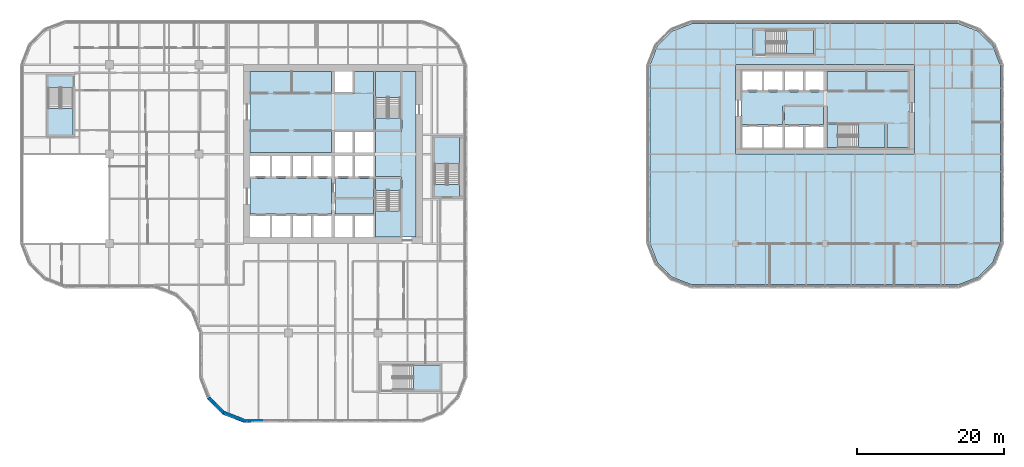
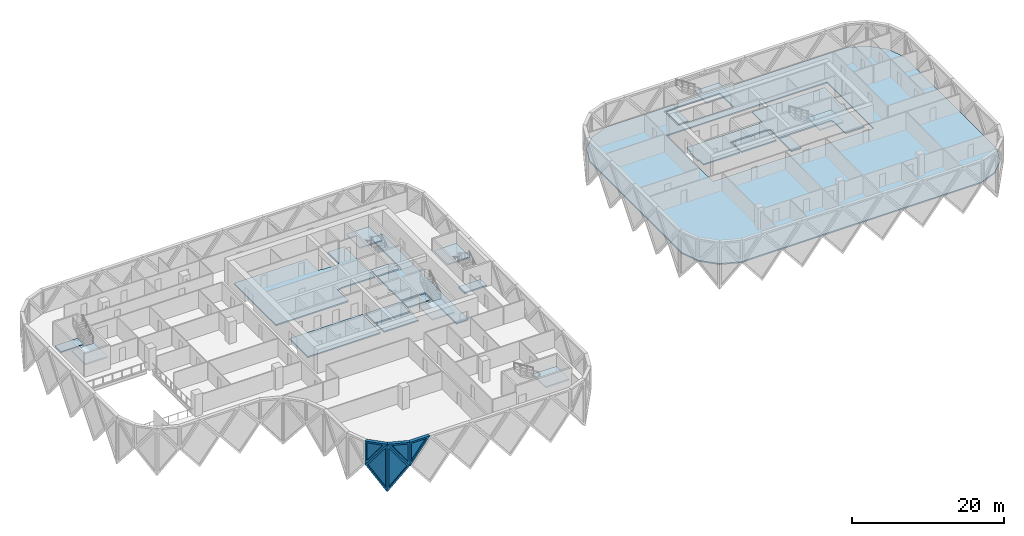
# One storey, part 3 of 24: 21 slabs, 5 plates, 5 walls, 5 openings, 7 elements without a shape of their own.
"""IFC4 building model written with IfcOpenShell, lengths in metres."""

import ifcopenshell
import ifcopenshell.guid

model = None  # the IFC model being written
_history = None  # IfcOwnerHistory: only IFC2X3 demands one
_inside = {}  # id of a spatial element -> (the spatial element, [elements in it])
_under = {}  # id of a project, library or spatial element -> (it, [spatial elements below it])
_declared = {}  # id of a project -> (the project, [libraries it declares])
_typed = {}  # id of a type object -> (the type object, [elements of that type])
_made_of = {}  # id of a material, layer set ... -> (it, [elements and type objects made of it])


def new_model(schema):
    """Start an empty IFC model of exactly this schema.

    Asked for "IFC4X3", IfcOpenShell would pick the latest addendum, in which some entities
    have other attributes; the version numbers below select the first issue.
    IFC2X3 requires an IfcOwnerHistory on every rooted entity: one is made here for all.
    """
    global model, _history
    if schema == "IFC4X3":
        model = ifcopenshell.file(schema_version=(4, 3, 0, 0))
    else:
        model = ifcopenshell.file(schema=schema)
    _inside.clear()
    _under.clear()
    _declared.clear()
    _typed.clear()
    _made_of.clear()
    _history = None
    if model.schema == "IFC2X3":
        org = make("IfcOrganization", Name="unknown")
        user = make(
            "IfcPersonAndOrganization",
            ThePerson=make("IfcPerson", FamilyName="unknown"),
            TheOrganization=org,
        )
        app = make(
            "IfcApplication",
            ApplicationDeveloper=org,
            Version="unknown",
            ApplicationFullName="unknown",
            ApplicationIdentifier="unknown",
        )
        _history = make(
            "IfcOwnerHistory",
            OwningUser=user,
            OwningApplication=app,
            ChangeAction="ADDED",
            CreationDate=0,
        )
    return model


def make(cls, **values):
    """One entity of the class cls with the attributes given. An attribute that is None is left unset."""
    return model.create_entity(
        cls, **{name: value for name, value in values.items() if value is not None}
    )


def rooted(cls, **values):
    """An entity with a GlobalId (a new one), such as an element, a storey or a relation."""
    return make(cls, GlobalId=ifcopenshell.guid.new(), OwnerHistory=_history, **values)


def si_unit(unit_type, name, prefix=None):
    """IfcSIUnit, for example si_unit("LENGTHUNIT", "METRE", prefix="MILLI")."""
    return make("IfcSIUnit", UnitType=unit_type, Prefix=prefix, Name=name)


def assignment(units):
    """IfcUnitAssignment: the units of a project."""
    return None if units is None else make("IfcUnitAssignment", Units=units)


def point(xyz):
    """IfcCartesianPoint."""
    return None if xyz is None else make("IfcCartesianPoint", Coordinates=xyz)


def direction(xyz):
    """IfcDirection."""
    return None if xyz is None else make("IfcDirection", DirectionRatios=xyz)


def frame(location, z_axis=None, x_axis=None):
    """IfcAxis2Placement3D, a coordinate frame: its origin and axes. An axis left out is left unset."""
    return make(
        "IfcAxis2Placement3D",
        Location=point(location),
        Axis=direction(z_axis),
        RefDirection=direction(x_axis),
    )


def origin():
    """The frame at (0, 0, 0) with its axes left unset."""
    return frame((0.0, 0.0, 0.0))


def place(relative_to, where):
    """IfcLocalPlacement: puts the frame where relative to a parent placement (None: the world)."""
    return make(
        "IfcLocalPlacement", PlacementRelTo=relative_to, RelativePlacement=where
    )


def context(
    kind, dimensions, precision=None, world=None, true_north=None, identifier=None
):
    """IfcGeometricRepresentationContext, for example the 3D "Model" context."""
    return make(
        "IfcGeometricRepresentationContext",
        ContextIdentifier=identifier,
        ContextType=kind,
        CoordinateSpaceDimension=dimensions,
        Precision=precision,
        WorldCoordinateSystem=world,
        TrueNorth=true_north,
    )


def subcontext(parent, identifier, kind, view, scale=None):
    """IfcGeometricRepresentationSubContext, for example "Body" below "Model"."""
    return make(
        "IfcGeometricRepresentationSubContext",
        ContextIdentifier=identifier,
        ContextType=kind,
        ParentContext=parent,
        TargetScale=scale,
        TargetView=view,
    )


def project(units=None, contexts=None):
    """IfcProject with its units and contexts."""
    return rooted(
        "IfcProject",
        Name="project",
        RepresentationContexts=contexts,
        UnitsInContext=assignment(units),
    )


def spatial(cls, under=None, at=None, **own):
    """A site, building, storey or space (cls), placed at a placement, below another one or the project."""
    s = rooted(cls, ObjectPlacement=at, **own)
    if under is not None:
        _under.setdefault(under.id(), (under, []))[1].append(s)
    return s


def polyline(points):
    """IfcPolyline through the points."""
    return make("IfcPolyline", Points=[point(p) for p in points])


def outline(outer, holes=None, kind="AREA"):
    """IfcArbitraryClosedProfileDef: a profile drawn as a closed curve; with holes, ...WithVoids."""
    if holes is None:
        return make("IfcArbitraryClosedProfileDef", ProfileType=kind, OuterCurve=outer)
    return make(
        "IfcArbitraryProfileDefWithVoids",
        ProfileType=kind,
        OuterCurve=outer,
        InnerCurves=holes,
    )


def extrude(swept, where, along, depth):
    """IfcExtrudedAreaSolid: the profile swept, set in the frame where, extruded along a direction by depth."""
    return make(
        "IfcExtrudedAreaSolid",
        SweptArea=swept,
        Position=where,
        ExtrudedDirection=direction(along),
        Depth=depth,
    )


def faces_of(points, faces, orient=None, outer=None):
    """IfcFace entities. A face is a list of loops; a loop is a list of indices into points, from 0.

    orient and outer hold one flag for each loop. By default every Orientation is true, the
    first loop of a face is its IfcFaceOuterBound and the others are IfcFaceBound.
    """
    made = []
    for i, loops in enumerate(faces):
        bounds = []
        for j, loop in enumerate(loops):
            is_outer = j == 0 if outer is None else outer[i][j]
            bounds.append(
                make(
                    "IfcFaceOuterBound" if is_outer else "IfcFaceBound",
                    Bound=make("IfcPolyLoop", Polygon=[points[k] for k in loop]),
                    Orientation=True if orient is None else orient[i][j],
                )
            )
        made.append(make("IfcFace", Bounds=bounds))
    return made


def faceted_brep(points, faces, orient=None, outer=None, voids=None):
    """IfcFacetedBrep: a solid bounded by flat faces; with voids (closed shells), ...WithVoids."""
    shared = [point(p) for p in points]
    hull = make("IfcClosedShell", CfsFaces=faces_of(shared, faces, orient, outer))
    if voids is None:
        return make("IfcFacetedBrep", Outer=hull)
    return make(
        "IfcFacetedBrepWithVoids",
        Outer=hull,
        Voids=[
            make(cls, CfsFaces=faces_of(shared, fs, o, b)) for cls, fs, o, b in voids
        ],
    )


def shape(context_of_items, identifier, shape_type, items):
    """IfcShapeRepresentation: the items that make up one representation, for example the "Body"."""
    return make(
        "IfcShapeRepresentation",
        ContextOfItems=context_of_items,
        RepresentationIdentifier=identifier,
        RepresentationType=shape_type,
        Items=items,
    )


def source(mapping_origin, context_of_items, identifier, shape_type, items):
    """IfcRepresentationMap: a shape defined once, which mapped items show again and again."""
    return make(
        "IfcRepresentationMap",
        MappingOrigin=mapping_origin,
        MappedRepresentation=shape(context_of_items, identifier, shape_type, items),
    )


def transform(
    local_origin,
    x_axis=None,
    y_axis=None,
    z_axis=None,
    scale=None,
    scale2=None,
    scale3=None,
    uniform=True,
):
    """IfcCartesianTransformationOperator3D, or its non-uniform kind. x_axis, y_axis, z_axis: its Axis1, 2, 3."""
    if uniform:
        return make(
            "IfcCartesianTransformationOperator3D",
            Axis1=direction(x_axis),
            Axis2=direction(y_axis),
            LocalOrigin=point(local_origin),
            Scale=scale,
            Axis3=direction(z_axis),
        )
    return make(
        "IfcCartesianTransformationOperator3DnonUniform",
        Axis1=direction(x_axis),
        Axis2=direction(y_axis),
        LocalOrigin=point(local_origin),
        Scale=scale,
        Axis3=direction(z_axis),
        Scale2=scale2,
        Scale3=scale3,
    )


def mapped(mapping_source, mapping_target):
    """IfcMappedItem: shows the shape of a source again, moved by a transform."""
    return make(
        "IfcMappedItem", MappingSource=mapping_source, MappingTarget=mapping_target
    )


def material(Name=None, Category=None):
    """IfcMaterial."""
    return make("IfcMaterial", Name=Name, Category=Category)


def layer(
    of_material, thickness, ventilated=None, Name=None, Category=None, Priority=None
):
    """IfcMaterialLayer: one layer of a wall or slab, of a material (None: an air gap)."""
    return make(
        "IfcMaterialLayer",
        Material=of_material,
        LayerThickness=thickness,
        IsVentilated=ventilated,
        Name=Name,
        Category=Category,
        Priority=Priority,
    )


def layer_set(layers, Name=None):
    """IfcMaterialLayerSet."""
    return make("IfcMaterialLayerSet", MaterialLayers=layers, LayerSetName=Name)


def made_of(thing, what):
    """Note that an element or type object is made of a material, layer set ...; save() writes the relation."""
    if what is not None:
        _made_of.setdefault(what.id(), (what, []))[1].append(thing)
    return thing


def type_object(cls, material=None, **own):
    """A type object (cls), such as IfcWallType, which elements share."""
    return made_of(rooted(cls, **own), material)


def element(
    cls,
    number,
    at=None,
    inside=None,
    cuts=None,
    type_object=None,
    material=None,
    context=None,
    identifier="Body",
    shape_type=None,
    held_by="IfcProductDefinitionShape",
    body=None,
    shapes=None,
    **own,
):
    """One element of the class cls, such as IfcWall. Its Tag is "e" and its number.

    at: its placement. inside: the storey or other place that contains it. cuts: it is an
    opening in that element (IfcRelVoidsElement). A single representation is given by context,
    identifier, shape_type and body (its items); several are given by shapes. held_by: the class
    of the entity that holds the representations. save() writes the other relations.
    """
    e = rooted(cls, Tag="e%d" % number, ObjectPlacement=at, **own)
    if body is not None:
        shapes = [shape(context, identifier, shape_type, body)]
    if shapes is not None:
        e.Representation = make(held_by, Representations=shapes)
    if inside is not None:
        _inside.setdefault(inside.id(), (inside, []))[1].append(e)
    if cuts is not None:
        rooted(
            "IfcRelVoidsElement", RelatingBuildingElement=cuts, RelatedOpeningElement=e
        )
    if type_object is not None:
        _typed.setdefault(type_object.id(), (type_object, []))[1].append(e)
    return made_of(e, material)


def fill(opening, filler):
    """IfcRelFillsElement: the door or window that sits in an opening."""
    return rooted(
        "IfcRelFillsElement",
        RelatingOpeningElement=opening,
        RelatedBuildingElement=filler,
    )


def aggregate(whole, parts):
    """IfcRelAggregates: a whole, such as a stair, and the parts it consists of."""
    return rooted("IfcRelAggregates", RelatingObject=whole, RelatedObjects=parts)


def save(model, path):
    """Write the relations noted so far, then the file.

    IfcRelAggregates (storeys below a building ...), IfcRelContainedInSpatialStructure (elements
    in a storey), IfcRelDefinesByType, IfcRelAssociatesMaterial and IfcRelDeclares: one each for
    every whole, place, type object, material and project.
    """
    for whole, parts in _under.values():
        aggregate(whole, parts)
    for where, things in _inside.values():
        rooted(
            "IfcRelContainedInSpatialStructure",
            RelatedElements=things,
            RelatingStructure=where,
        )
    for kind, things in _typed.values():
        rooted("IfcRelDefinesByType", RelatedObjects=things, RelatingType=kind)
    for what, things in _made_of.values():
        rooted("IfcRelAssociatesMaterial", RelatedObjects=things, RelatingMaterial=what)
    for by, libraries in _declared.values():
        rooted("IfcRelDeclares", RelatingContext=by, RelatedDefinitions=libraries)
    model.write(path)


model = new_model("IFC4")

# Units and contexts
model_context = context("Model", 3, precision=1e-05, world=origin(), true_north=direction((0.0, 1.0)))
body_context = subcontext(model_context, "Body", "Model", "MODEL_VIEW")
ifc_project = project(units=[si_unit("LENGTHUNIT", "METRE"), si_unit("AREAUNIT", "SQUARE_METRE"), si_unit("VOLUMEUNIT", "CUBIC_METRE"), si_unit("PLANEANGLEUNIT", "RADIAN"), si_unit("MASSUNIT", "GRAM", prefix="KILO")], contexts=[model_context])

# Site, building, storey
site_placement = place(None, origin())
site = spatial("IfcSite", under=ifc_project, at=site_placement, CompositionType="ELEMENT")
building_placement = place(site_placement, origin())
building = spatial("IfcBuilding", under=site, at=building_placement, Name="Tessera Gate Towers", CompositionType="ELEMENT")
storey_placement = place(building_placement, frame((0.0, 0.0, 60.0)))
storey = spatial("IfcBuildingStorey", under=building, at=storey_placement, Name="L14", CompositionType="ELEMENT", Elevation=60.0)

# Slabs
ifc_material_1 = material(Name="Concrete C35/45", Category="concrete")
ifc_layer_1 = layer(ifc_material_1, 0.199951171875)
ifc_layer_set_1 = layer_set([ifc_layer_1], Name="COMPOSITE FLOOR 200")
slab_type_1 = type_object("IfcSlabType", Name="COMPOSITE FLOOR 200", PredefinedType="FLOOR", material=ifc_layer_set_1)
slab_1_placement = place(storey_placement, frame((0.0, 0.0, -0.199951171875)))
element("IfcSlab", 1, at=slab_1_placement, inside=storey, type_object=slab_type_1, Name="T2-L14", PredefinedType="FLOOR", context=body_context, shape_type="SweptSolid", body=[
    extrude(outline(polyline([(85.89990234375, 24.4931640625), (86.926025390625, 21.8330078125), (88.93310546875, 19.826171875), (91.593017578125, 18.800048828125), (128.0068359375, 18.800048828125), (130.6669921875, 19.826171875), (132.673828125, 21.8330078125), (133.699951171875, 24.4931640625), (133.699951171875, 48.706787109375), (132.673828125, 51.366943359375), (130.6669921875, 53.373779296875), (128.0068359375, 54.39990234375), (91.593017578125, 54.39990234375), (88.93310546875, 53.373779296875), (86.926025390625, 51.366943359375), (85.89990234375, 48.706787109375), (85.89990234375, 24.4931640625)]), holes=[polyline([(97.60009765625, 36.60009765625), (97.60009765625, 48.800048828125), (122.0, 48.800048828125), (122.0, 36.60009765625), (97.60009765625, 36.60009765625)]), polyline([(100.0, 50.0), (100.0, 53.699951171875), (108.5, 53.699951171875), (108.5, 50.0), (100.0, 50.0)])]), origin(), (0.0, 0.0, 1.0), 0.199951171875),
])
ifc_material_2 = material(Name="Concrete C35/45", Category="concrete")
ifc_layer_2 = layer(ifc_material_2, 0.199951171875)
ifc_layer_set_2 = layer_set([ifc_layer_2], Name="CORE FLOOR SLAB 200")
slab_type_2 = type_object("IfcSlabType", Name="CORE FLOOR SLAB 200", PredefinedType="FLOOR", material=ifc_layer_set_2)
slab_2_placement = place(storey_placement, frame((0.0, 0.0, -0.199951171875)))
element("IfcSlab", 2, at=slab_2_placement, inside=storey, type_object=slab_type_2, Name="L14 core floor slab", PredefinedType="FLOOR", context=body_context, shape_type="SweptSolid", body=[
    extrude(outline(polyline([(31.39990234375, 47.89990234375), (31.39990234375, 36.85009765625), (42.449951171875, 36.85009765625), (42.449951171875, 39.800048828125), (42.949951171875, 39.800048828125), (42.949951171875, 39.925048828125), (48.22509765625, 39.925048828125), (48.22509765625, 47.89990234375), (45.64990234375, 47.89990234375), (45.64990234375, 44.89990234375), (45.39990234375, 44.89990234375), (45.39990234375, 44.77490234375), (42.949951171875, 44.77490234375), (42.949951171875, 44.89990234375), (42.449951171875, 44.89990234375), (42.449951171875, 47.89990234375), (31.39990234375, 47.89990234375)])), origin(), (0.0, 0.0, 1.0), 0.199951171875),
])
slab_3_placement = place(storey_placement, frame((0.0, 0.0, -0.199951171875)))
element("IfcSlab", 3, at=slab_3_placement, inside=storey, type_object=slab_type_2, Name="L14 core floor slab", PredefinedType="FLOOR", context=body_context, shape_type="SweptSolid", body=[
    extrude(outline(polyline([(48.35009765625, 36.85009765625), (48.35009765625, 36.35009765625), (48.47509765625, 36.35009765625), (48.47509765625, 33.52490234375), (52.0, 33.52490234375), (52.0, 33.27490234375), (52.125, 33.27490234375), (52.125, 25.300048828125), (54.0, 25.300048828125), (54.0, 47.89990234375), (52.125, 47.89990234375), (52.125, 39.925048828125), (52.0, 39.925048828125), (52.0, 39.675048828125), (48.47509765625, 39.675048828125), (48.47509765625, 36.85009765625), (48.35009765625, 36.85009765625)])), origin(), (0.0, 0.0, 1.0), 0.199951171875),
])
slab_4_placement = place(storey_placement, frame((0.0, 0.0, -0.199951171875)))
element("IfcSlab", 4, at=slab_4_placement, inside=storey, type_object=slab_type_2, Name="L14 core floor slab", PredefinedType="FLOOR", context=body_context, shape_type="SweptSolid", body=[
    extrude(outline(polyline([(42.449951171875, 28.425048828125), (42.449951171875, 33.27490234375), (31.39990234375, 33.27490234375), (31.39990234375, 28.425048828125), (42.449951171875, 28.425048828125)])), origin(), (0.0, 0.0, 1.0), 0.199951171875),
])
slab_5_placement = place(storey_placement, frame((0.0, 0.0, -0.199951171875)))
element("IfcSlab", 5, at=slab_5_placement, inside=storey, type_object=slab_type_2, Name="L14 core floor slab", PredefinedType="FLOOR", context=body_context, shape_type="SweptSolid", body=[
    extrude(outline(polyline([(42.949951171875, 33.27490234375), (42.949951171875, 30.72509765625), (48.22509765625, 30.72509765625), (48.22509765625, 33.27490234375), (42.949951171875, 33.27490234375)])), origin(), (0.0, 0.0, 1.0), 0.199951171875),
])
slab_6_placement = place(storey_placement, frame((0.0, 0.0, -0.199951171875)))
element("IfcSlab", 6, at=slab_6_placement, inside=storey, type_object=slab_type_2, Name="L14 core floor slab", PredefinedType="FLOOR", context=body_context, shape_type="SweptSolid", body=[
    extrude(outline(polyline([(42.949951171875, 30.47509765625), (42.949951171875, 28.425048828125), (48.22509765625, 28.425048828125), (48.22509765625, 30.47509765625), (42.949951171875, 30.47509765625)])), origin(), (0.0, 0.0, 1.0), 0.199951171875),
])
slab_7_placement = place(storey_placement, frame((0.0, 0.0, -0.199951171875)))
element("IfcSlab", 7, at=slab_7_placement, inside=storey, type_object=slab_type_2, Name="L14 core floor slab", PredefinedType="FLOOR", context=body_context, shape_type="SweptSolid", body=[
    extrude(outline(polyline([(51.875, 31.675048828125), (51.875, 33.27490234375), (48.47509765625, 33.27490234375), (48.47509765625, 31.675048828125), (51.875, 31.675048828125)])), origin(), (0.0, 0.0, 1.0), 0.199951171875),
])
slab_8_placement = place(storey_placement, frame((0.0, 0.0, -0.199951171875)))
element("IfcSlab", 8, at=slab_8_placement, inside=storey, type_object=slab_type_2, Name="L14 core floor slab", PredefinedType="FLOOR", context=body_context, shape_type="SweptSolid", body=[
    extrude(outline(polyline([(48.47509765625, 41.52490234375), (48.47509765625, 39.925048828125), (51.875, 39.925048828125), (51.875, 41.52490234375), (48.47509765625, 41.52490234375)])), origin(), (0.0, 0.0, 1.0), 0.199951171875),
])
slab_9_placement = place(storey_placement, frame((0.0, 0.0, -0.199951171875)))
element("IfcSlab", 9, at=slab_9_placement, inside=storey, type_object=slab_type_2, Name="L14 ST3 floor landing", PredefinedType="FLOOR", context=body_context, shape_type="SweptSolid", body=[
    extrude(outline(polyline([(3.85009765625, 47.25), (3.85009765625, 45.64990234375), (7.25, 45.64990234375), (7.25, 47.25), (3.85009765625, 47.25)])), origin(), (0.0, 0.0, 1.0), 0.199951171875),
])
slab_10_placement = place(storey_placement, frame((0.0, 0.0, -0.199951171875)))
element("IfcSlab", 10, at=slab_10_placement, inside=storey, type_object=slab_type_2, Name="L14 ST5 floor landing", PredefinedType="FLOOR", context=body_context, shape_type="SweptSolid", body=[
    extrude(outline(polyline([(59.949951171875, 30.85009765625), (59.949951171875, 32.449951171875), (56.550048828125, 32.449951171875), (56.550048828125, 30.85009765625), (59.949951171875, 30.85009765625)])), origin(), (0.0, 0.0, 1.0), 0.199951171875),
])
slab_11_placement = place(storey_placement, frame((0.0, 0.0, -0.199951171875)))
element("IfcSlab", 11, at=slab_11_placement, inside=storey, type_object=slab_type_2, Name="L14 core floor slab", PredefinedType="FLOOR", context=body_context, shape_type="SweptSolid", body=[
    extrude(outline(polyline([(109.550048828125, 45.199951171875), (109.550048828125, 45.074951171875), (98.5, 45.074951171875), (98.5, 43.89990234375), (98.300048828125, 43.89990234375), (98.300048828125, 41.800048828125), (98.5, 41.800048828125), (98.5, 40.625), (104.02490234375, 40.625), (104.02490234375, 43.199951171875), (104.27490234375, 43.199951171875), (104.27490234375, 43.324951171875), (109.550048828125, 43.324951171875), (109.550048828125, 43.199951171875), (110.050048828125, 43.199951171875), (110.050048828125, 40.949951171875), (118.10009765625, 40.949951171875), (118.10009765625, 40.699951171875), (118.22509765625, 40.699951171875), (118.22509765625, 37.5), (121.10009765625, 37.5), (121.10009765625, 42.35009765625), (121.300048828125, 42.35009765625), (121.300048828125, 43.550048828125), (121.10009765625, 43.550048828125), (121.10009765625, 47.89990234375), (110.050048828125, 47.89990234375), (110.050048828125, 45.199951171875), (109.550048828125, 45.199951171875)])), origin(), (0.0, 0.0, 1.0), 0.199951171875),
])
slab_12_placement = place(storey_placement, frame((0.0, 0.0, -0.199951171875)))
element("IfcSlab", 12, at=slab_12_placement, inside=storey, type_object=slab_type_2, Name="L14 core floor slab", PredefinedType="FLOOR", context=body_context, shape_type="SweptSolid", body=[
    extrude(outline(polyline([(109.550048828125, 43.074951171875), (104.27490234375, 43.074951171875), (104.27490234375, 40.625), (109.550048828125, 40.625), (109.550048828125, 43.074951171875)])), origin(), (0.0, 0.0, 1.0), 0.199951171875),
])
slab_13_placement = place(storey_placement, frame((0.0, 0.0, -0.199951171875)))
element("IfcSlab", 13, at=slab_13_placement, inside=storey, type_object=slab_type_2, Name="L14 core floor slab", PredefinedType="FLOOR", context=body_context, shape_type="SweptSolid", body=[
    extrude(outline(polyline([(111.550048828125, 37.5), (111.550048828125, 40.699951171875), (110.050048828125, 40.699951171875), (110.050048828125, 37.5), (111.550048828125, 37.5)])), origin(), (0.0, 0.0, 1.0), 0.199951171875),
])
slab_14_placement = place(storey_placement, frame((0.0, 0.0, -0.199951171875)))
element("IfcSlab", 14, at=slab_14_placement, inside=storey, type_object=slab_type_2, Name="L14 ST7 floor landing", PredefinedType="FLOOR", context=body_context, shape_type="SweptSolid", body=[
    extrude(outline(polyline([(100.25, 50.25), (101.75, 50.25), (101.75, 53.449951171875), (100.25, 53.449951171875), (100.25, 50.25)])), origin(), (0.0, 0.0, 1.0), 0.199951171875),
])

# Stair, slab
ifc_material_3 = material(Name="Concrete C40/50", Category="concrete")
stair_type_1 = type_object("IfcStairType", Name="EXIT STAIR ST1 1600", PredefinedType="HALF_TURN_STAIR", material=ifc_material_3)
stair_1_placement = place(storey_placement, origin())
stair_1 = element("IfcStair", 15, at=stair_1_placement, inside=storey, type_object=stair_type_1, Name="L14 Protected Exit Stair ST1", PredefinedType="HALF_TURN_STAIR")
ifc_material_4 = material(Name="Concrete C40/50", Category="concrete")
ifc_layer_3 = layer(ifc_material_4, 0.199951171875)
ifc_layer_set_3 = layer_set([ifc_layer_3], Name="EXIT STAIR LANDING 200")
slab_type_3 = type_object("IfcSlabType", Name="EXIT STAIR LANDING 200", PredefinedType="LANDING", material=ifc_layer_set_3)
slab_15_placement = place(storey_placement, frame((0.0, 0.0, 1.699951171875)))
slab_15 = element("IfcSlab", 16, at=slab_15_placement, type_object=slab_type_3, Name="ST1 landing 1", PredefinedType="LANDING", context=body_context, shape_type="SweptSolid", body=[
    extrude(outline(polyline([(48.47509765625, 28.875), (48.47509765625, 25.300048828125), (51.875, 25.300048828125), (51.875, 28.875), (48.47509765625, 28.875)])), origin(), (0.0, 0.0, 1.0), 0.199951171875),
])
aggregate(stair_1, [slab_15])

ifc_material_5 = material(Name="Concrete C40/50", Category="concrete")
stair_type_2 = type_object("IfcStairType", Name="EXIT STAIR ST2 1600", PredefinedType="HALF_TURN_STAIR", material=ifc_material_5)
stair_2_placement = place(storey_placement, origin())
stair_2 = element("IfcStair", 17, at=stair_2_placement, inside=storey, type_object=stair_type_2, Name="L14 Protected Exit Stair ST2", PredefinedType="HALF_TURN_STAIR")
slab_16_placement = place(storey_placement, frame((0.0, 0.0, 1.699951171875)))
slab_16 = element("IfcSlab", 18, at=slab_16_placement, type_object=slab_type_3, Name="ST2 landing 1", PredefinedType="LANDING", context=body_context, shape_type="SweptSolid", body=[
    extrude(outline(polyline([(51.875, 44.324951171875), (51.875, 47.89990234375), (48.47509765625, 47.89990234375), (48.47509765625, 44.324951171875), (51.875, 44.324951171875)])), origin(), (0.0, 0.0, 1.0), 0.199951171875),
])
aggregate(stair_2, [slab_16])

ifc_material_6 = material(Name="Concrete C40/50", Category="concrete")
stair_type_3 = type_object("IfcStairType", Name="EXIT STAIR ST3 1600", PredefinedType="HALF_TURN_STAIR", material=ifc_material_6)
stair_3_placement = place(storey_placement, origin())
stair_3 = element("IfcStair", 19, at=stair_3_placement, inside=storey, type_object=stair_type_3, Name="L14 West Exit Stair ST3", PredefinedType="HALF_TURN_STAIR")
slab_17_placement = place(storey_placement, frame((0.0, 0.0, 1.699951171875)))
slab_17 = element("IfcSlab", 20, at=slab_17_placement, type_object=slab_type_3, Name="ST3 landing 1", PredefinedType="LANDING", context=body_context, shape_type="SweptSolid", body=[
    extrude(outline(polyline([(3.85009765625, 42.85009765625), (3.85009765625, 39.25), (7.25, 39.25), (7.25, 42.85009765625), (3.85009765625, 42.85009765625)])), origin(), (0.0, 0.0, 1.0), 0.199951171875),
])
aggregate(stair_3, [slab_17])

ifc_material_7 = material(Name="Concrete C40/50", Category="concrete")
stair_type_4 = type_object("IfcStairType", Name="EXIT STAIR ST4 1600", PredefinedType="HALF_TURN_STAIR", material=ifc_material_7)
stair_4_placement = place(storey_placement, origin())
stair_4 = element("IfcStair", 21, at=stair_4_placement, inside=storey, type_object=stair_type_4, Name="L14 South Exit Stair ST4", PredefinedType="HALF_TURN_STAIR")
slab_18_placement = place(storey_placement, frame((0.0, 0.0, 1.699951171875)))
slab_18 = element("IfcSlab", 22, at=slab_18_placement, type_object=slab_type_3, Name="ST4 landing 1", PredefinedType="LANDING", context=body_context, shape_type="SweptSolid", body=[
    extrude(outline(polyline([(53.64990234375, 4.449951171875), (57.25, 4.449951171875), (57.25, 7.85009765625), (53.64990234375, 7.85009765625), (53.64990234375, 4.449951171875)])), origin(), (0.0, 0.0, 1.0), 0.199951171875),
])
aggregate(stair_4, [slab_18])

ifc_material_8 = material(Name="Concrete C40/50", Category="concrete")
stair_type_5 = type_object("IfcStairType", Name="EXIT STAIR ST5 1600", PredefinedType="HALF_TURN_STAIR", material=ifc_material_8)
stair_5_placement = place(storey_placement, origin())
stair_5 = element("IfcStair", 23, at=stair_5_placement, inside=storey, type_object=stair_type_5, Name="L14 East Exit Stair ST5", PredefinedType="HALF_TURN_STAIR")
slab_19_placement = place(storey_placement, frame((0.0, 0.0, 1.699951171875)))
slab_19 = element("IfcSlab", 24, at=slab_19_placement, type_object=slab_type_3, Name="ST5 landing 1", PredefinedType="LANDING", context=body_context, shape_type="SweptSolid", body=[
    extrude(outline(polyline([(59.949951171875, 35.25), (59.949951171875, 38.85009765625), (56.550048828125, 38.85009765625), (56.550048828125, 35.25), (59.949951171875, 35.25)])), origin(), (0.0, 0.0, 1.0), 0.199951171875),
])
aggregate(stair_5, [slab_19])

ifc_material_9 = material(Name="Concrete C40/50", Category="concrete")
stair_type_6 = type_object("IfcStairType", Name="EXIT STAIR ST6 1500", PredefinedType="HALF_TURN_STAIR", material=ifc_material_9)
stair_6_placement = place(storey_placement, origin())
stair_6 = element("IfcStair", 25, at=stair_6_placement, inside=storey, type_object=stair_type_6, Name="L14 Protected Exit Stair ST6", PredefinedType="HALF_TURN_STAIR")
slab_20_placement = place(storey_placement, frame((0.0, 0.0, 1.699951171875)))
slab_20 = element("IfcSlab", 26, at=slab_20_placement, type_object=slab_type_3, Name="ST6 landing 1", PredefinedType="LANDING", context=body_context, shape_type="SweptSolid", body=[
    extrude(outline(polyline([(114.35009765625, 37.5), (117.97509765625, 37.5), (117.97509765625, 40.699951171875), (114.35009765625, 40.699951171875), (114.35009765625, 37.5)])), origin(), (0.0, 0.0, 1.0), 0.199951171875),
])
aggregate(stair_6, [slab_20])

ifc_material_10 = material(Name="Concrete C40/50", Category="concrete")
stair_type_7 = type_object("IfcStairType", Name="EXIT STAIR ST7 1500", PredefinedType="HALF_TURN_STAIR", material=ifc_material_10)
stair_7_placement = place(storey_placement, origin())
stair_7 = element("IfcStair", 27, at=stair_7_placement, inside=storey, type_object=stair_type_7, Name="L14 North Exit Stair ST7", PredefinedType="HALF_TURN_STAIR")
slab_21_placement = place(storey_placement, frame((0.0, 0.0, 1.699951171875)))
slab_21 = element("IfcSlab", 28, at=slab_21_placement, type_object=slab_type_3, Name="ST7 landing 1", PredefinedType="LANDING", context=body_context, shape_type="SweptSolid", body=[
    extrude(outline(polyline([(104.550048828125, 50.25), (108.25, 50.25), (108.25, 53.449951171875), (104.550048828125, 53.449951171875), (104.550048828125, 50.25)])), origin(), (0.0, 0.0, 1.0), 0.199951171875),
])
aggregate(stair_7, [slab_21])

# Wall, opening, plate
ifc_material_11 = material(Name="Precast concrete C60/75 white", Category="concrete")
ifc_layer_4 = layer(ifc_material_11, 0.5)
ifc_layer_set_4 = layer_set([ifc_layer_4], Name="TS3 corner tessera")
wall_type = type_object("IfcWallType", Name="TS3 corner tessera", PredefinedType="SOLIDWALL", material=ifc_layer_set_4)
shared_shape_1 = source(origin(), body_context, "Body", "Brep", [
    faceted_brep([(0.052978515625, -0.25, 0.0), (3.00341796875, -0.25, 3.800048828125), (0.052978515625, -0.25, 7.60009765625), (0.0, -0.25, 7.53173828125), (0.0, -0.25, 0.068359375), (0.10595703125, 0.25, 7.531982421875), (2.95703125, 0.25, 3.85986328125), (2.95703125, 0.25, 3.740234375), (0.10595703125, 0.25, 0.068115234375), (3.00341796875, 0.00048828125, 3.800048828125), (0.052978515625, 0.0, 0.0), (0.052978515625, 0.0, 7.60009765625)], [[[0, 1, 2, 3, 4]], [[5, 6, 7, 8]], [[8, 7, 9, 1, 0, 10]], [[6, 5, 11, 2, 1, 9]], [[3, 2, 11]], [[10, 0, 4]], [[8, 10, 4, 3, 11, 5]], [[9, 7, 6]]]),
])
wall_1_placement = place(storey_placement, frame((27.744384765625, 1.3310546875, -3.800048828125), z_axis=(0.0, 0.0, 1.0), x_axis=(0.932970071518, -0.359953949349, 0.0)))
wall_1 = element("IfcWall", 29, at=wall_1_placement, inside=storey, type_object=wall_type, Name="Precast corner tessera T1 TS3-0312", PredefinedType="SOLIDWALL", context=body_context, shape_type="MappedRepresentation", body=[
    mapped(shared_shape_1, transform((0.0, 0.0, 0.0), scale=1.0)),
])
shared_shape_2 = source(origin(), body_context, "Body", "SweptSolid", [
    extrude(outline(polyline([(0.2529296875, 0.665283203125), (2.68701171875, 3.800048828125), (0.2529296875, 6.934814453125), (0.2529296875, 0.665283203125)])), frame((0.0, 0.260009765625, 0.0), z_axis=(0.0, -1.0, 0.0), x_axis=(1.0, 0.0, 0.0)), (0.0, 0.0, 1.0), 0.52001953125),
])
opening_1_placement = place(wall_1_placement, origin())
opening_1 = element("IfcOpeningElement", 30, at=opening_1_placement, cuts=wall_1, Name="Opening T1-PL2-0469", PredefinedType="OPENING", context=body_context, shape_type="MappedRepresentation", body=[
    mapped(shared_shape_2, transform((0.0, 0.0, 0.0), scale=1.0)),
])
ifc_material_12 = material(Name="Low-e laminated glass", Category="glass")
ifc_layer_5 = layer(ifc_material_12, 0.06005859375)
ifc_layer_set_5 = layer_set([ifc_layer_5], Name="PL2 rhombic pane")
plate_type_1 = type_object("IfcPlateType", Name="PL2 rhombic pane", PredefinedType="SHEET", material=ifc_layer_set_5)
shared_shape_3 = source(origin(), body_context, "Body", "SweptSolid", [
    extrude(outline(polyline([(0.2529296875, 0.665283203125), (2.68701171875, 3.800048828125), (0.2529296875, 6.934814453125), (0.2529296875, 0.665283203125)])), frame((0.0, 0.030029296875, 0.0), z_axis=(0.0, -1.0, 0.0), x_axis=(1.0, 0.0, 0.0)), (0.0, 0.0, 1.0), 0.06005859375),
])
plate_1_placement = place(opening_1_placement, origin())
plate_1 = element("IfcPlate", 31, at=plate_1_placement, inside=storey, type_object=plate_type_1, Name="Glass pane T1 PL2-0469", PredefinedType="SHEET", context=body_context, shape_type="MappedRepresentation", body=[
    mapped(shared_shape_3, transform((0.0, 0.0, 0.0), scale=1.0)),
])
fill(opening_1, plate_1)

shared_shape_4 = source(origin(), body_context, "Body", "Brep", [
    faceted_brep([(2.944091796875, -0.25, 0.0), (2.9970703125, -0.25, 0.068115234375), (2.9970703125, -0.25, 7.531982421875), (2.944091796875, -0.25, 7.60009765625), (0.0, -0.25, 3.800048828125), (0.052978515625, 0.25, 3.868408203125), (2.89111328125, 0.25, 7.531982421875), (2.89111328125, 0.25, 0.068115234375), (0.052978515625, 0.25, 3.731689453125), (2.944091796875, 0.000244140625, 0.0), (2.944091796875, 0.000244140625, 7.60009765625), (0.0, 0.0, 3.800048828125)], [[[0, 1, 2, 3, 4]], [[5, 6, 7, 8]], [[1, 0, 9]], [[10, 3, 2]], [[6, 5, 11, 4, 3, 10]], [[8, 7, 9, 0, 4, 11]], [[8, 11, 5]], [[1, 9, 7, 6, 10, 2]]]),
])
wall_2_placement = place(storey_placement, frame((25.7119140625, 3.393798828125, -3.800048828125), z_axis=(0.0, 0.0, 1.0), x_axis=(0.707066050402, -0.707147509625, 0.0)))
wall_2 = element("IfcWall", 32, at=wall_2_placement, inside=storey, type_object=wall_type, Name="Precast corner tessera T1 TS3-0311", PredefinedType="SOLIDWALL", context=body_context, shape_type="MappedRepresentation", body=[
    mapped(shared_shape_4, transform((0.0, 0.0, 0.0), scale=1.0)),
])
shared_shape_5 = source(origin(), body_context, "Body", "SweptSolid", [
    extrude(outline(polyline([(2.744140625, 6.933837890625), (0.316162109375, 3.800048828125), (2.744140625, 0.666259765625), (2.744140625, 6.933837890625)])), frame((0.0, 0.260009765625, 0.0), z_axis=(0.0, -1.0, 0.0), x_axis=(1.0, 0.0, 0.0)), (0.0, 0.0, 1.0), 0.52001953125),
])
opening_2_placement = place(wall_2_placement, origin())
opening_2 = element("IfcOpeningElement", 33, at=opening_2_placement, cuts=wall_2, Name="Opening T1-PL2-0468", PredefinedType="OPENING", context=body_context, shape_type="MappedRepresentation", body=[
    mapped(shared_shape_5, transform((0.0, 0.0, 0.0), scale=1.0)),
])
shared_shape_6 = source(origin(), body_context, "Body", "SweptSolid", [
    extrude(outline(polyline([(2.744140625, 6.933837890625), (0.316162109375, 3.800048828125), (2.744140625, 0.666259765625), (2.744140625, 6.933837890625)])), frame((0.0, 0.030029296875, 0.0), z_axis=(0.0, -1.0, 0.0), x_axis=(1.0, 0.0, 0.0)), (0.0, 0.0, 1.0), 0.06005859375),
])
plate_2_placement = place(opening_2_placement, origin())
plate_2 = element("IfcPlate", 34, at=plate_2_placement, inside=storey, type_object=plate_type_1, Name="Glass pane T1 PL2-0468", PredefinedType="SHEET", context=body_context, shape_type="MappedRepresentation", body=[
    mapped(shared_shape_6, transform((0.0, 0.0, 0.0), scale=1.0)),
])
fill(opening_2, plate_2)

shared_shape_7 = source(origin(), body_context, "Body", "Brep", [
    faceted_brep([(0.046630859375, -0.25, 0.0), (3.050048828125, -0.25, 3.800048828125), (0.0, -0.25, 3.800048828125), (0.0, -0.25, 0.06005859375), (0.09326171875, 0.25, 3.800048828125), (3.050048828125, 0.25, 3.800048828125), (0.09326171875, 0.25, 0.058837890625), (0.046630859375, 0.0, 0.0)], [[[0, 1, 2, 3]], [[4, 5, 6]], [[6, 5, 1, 0, 7]], [[5, 4, 2, 1]], [[7, 0, 3]], [[6, 7, 3, 2, 4]]]),
])
wall_3_placement = place(storey_placement, frame((30.5, 0.25, 0.0), z_axis=(0.0, 0.0, 1.0), x_axis=(1.0, 0.0, 0.0)))
wall_3 = element("IfcWall", 35, at=wall_3_placement, inside=storey, type_object=wall_type, Name="Precast corner tessera T1 TS3-0313", PredefinedType="SOLIDWALL", context=body_context, shape_type="MappedRepresentation", body=[
    mapped(shared_shape_7, transform((0.0, 0.0, 0.0), scale=1.0)),
])
shared_shape_8 = source(origin(), body_context, "Body", "SweptSolid", [
    extrude(outline(polyline([(0.24658203125, 0.65625), (2.533935546875, 3.550048828125), (0.24658203125, 3.550048828125), (0.24658203125, 0.65625)])), frame((0.0, 0.260009765625, 0.0), z_axis=(0.0, -1.0, 0.0), x_axis=(1.0, 0.0, 0.0)), (0.0, 0.0, 1.0), 0.52001953125),
])
opening_3_placement = place(wall_3_placement, origin())
opening_3 = element("IfcOpeningElement", 36, at=opening_3_placement, cuts=wall_3, Name="Opening T1-PL1-0141", PredefinedType="OPENING", context=body_context, shape_type="MappedRepresentation", body=[
    mapped(shared_shape_8, transform((0.0, 0.0, 0.0), scale=1.0)),
])
ifc_material_13 = material(Name="Low-e laminated glass", Category="glass")
ifc_layer_6 = layer(ifc_material_13, 0.06005859375)
ifc_layer_set_6 = layer_set([ifc_layer_6], Name="PL1 triangular pane")
plate_type_2 = type_object("IfcPlateType", Name="PL1 triangular pane", PredefinedType="SHEET", material=ifc_layer_set_6)
shared_shape_9 = source(origin(), body_context, "Body", "SweptSolid", [
    extrude(outline(polyline([(0.24658203125, 0.65625), (2.533935546875, 3.550048828125), (0.24658203125, 3.550048828125), (0.24658203125, 0.65625)])), frame((0.0, 0.030029296875, 0.0), z_axis=(0.0, -1.0, 0.0), x_axis=(1.0, 0.0, 0.0)), (0.0, 0.0, 1.0), 0.06005859375),
])
plate_3_placement = place(opening_3_placement, origin())
plate_3 = element("IfcPlate", 37, at=plate_3_placement, inside=storey, type_object=plate_type_2, Name="Glass pane T1 PL1-0141", PredefinedType="SHEET", context=body_context, shape_type="MappedRepresentation", body=[
    mapped(shared_shape_9, transform((0.0, 0.0, 0.0), scale=1.0)),
])
fill(opening_3, plate_3)

shared_shape_10 = source(origin(), body_context, "Body", "Brep", [
    faceted_brep([(2.950439453125, -0.25, 0.0), (2.9970703125, -0.25, 0.05908203125), (2.9970703125, -0.25, 3.800048828125), (0.0, -0.25, 3.800048828125), (0.052978515625, 0.25, 3.800048828125), (2.904052734375, 0.25, 3.800048828125), (2.904052734375, 0.25, 0.059814453125), (0.052978515625, 0.25, 3.73193359375), (2.950439453125, 0.00048828125, 0.0), (0.0, 0.0, 3.800048828125)], [[[0, 1, 2, 3]], [[4, 5, 6, 7]], [[1, 0, 8]], [[5, 4, 9, 3, 2]], [[7, 6, 8, 0, 3, 9]], [[7, 9, 4]], [[1, 8, 6, 5, 2]]]),
])
wall_4_placement = place(storey_placement, frame((27.793701171875, 1.31201171875, 0.0), z_axis=(0.0, 0.0, 1.0), x_axis=(0.932973525033, -0.359944998003, 0.0)))
wall_4 = element("IfcWall", 38, at=wall_4_placement, inside=storey, type_object=wall_type, Name="Precast corner tessera T1 TS3-0314", PredefinedType="SOLIDWALL", context=body_context, shape_type="MappedRepresentation", body=[
    mapped(shared_shape_10, transform((0.0, 0.0, 0.0), scale=1.0)),
])
shared_shape_11 = source(origin(), body_context, "Body", "SweptSolid", [
    extrude(outline(polyline([(2.75048828125, 3.550048828125), (0.5107421875, 3.550048828125), (2.75048828125, 0.665283203125), (2.75048828125, 3.550048828125)])), frame((0.0, 0.260009765625, 0.0), z_axis=(0.0, -1.0, 0.0), x_axis=(1.0, 0.0, 0.0)), (0.0, 0.0, 1.0), 0.52001953125),
])
opening_4_placement = place(wall_4_placement, origin())
opening_4 = element("IfcOpeningElement", 39, at=opening_4_placement, cuts=wall_4, Name="Opening T1-PL1-0142", PredefinedType="OPENING", context=body_context, shape_type="MappedRepresentation", body=[
    mapped(shared_shape_11, transform((0.0, 0.0, 0.0), scale=1.0)),
])
shared_shape_12 = source(origin(), body_context, "Body", "SweptSolid", [
    extrude(outline(polyline([(2.75048828125, 3.550048828125), (0.5107421875, 3.550048828125), (2.75048828125, 0.665283203125), (2.75048828125, 3.550048828125)])), frame((0.0, 0.030029296875, 0.0), z_axis=(0.0, -1.0, 0.0), x_axis=(1.0, 0.0, 0.0)), (0.0, 0.0, 1.0), 0.06005859375),
])
plate_4_placement = place(opening_4_placement, origin())
plate_4 = element("IfcPlate", 40, at=plate_4_placement, inside=storey, type_object=plate_type_2, Name="Glass pane T1 PL1-0142", PredefinedType="SHEET", context=body_context, shape_type="MappedRepresentation", body=[
    mapped(shared_shape_12, transform((0.0, 0.0, 0.0), scale=1.0)),
])
fill(opening_4, plate_4)

shared_shape_13 = source(origin(), body_context, "Body", "Brep", [
    faceted_brep([(0.052978515625, -0.25, 0.0), (2.9970703125, -0.25, 3.800048828125), (0.0, -0.25, 3.800048828125), (0.0, -0.25, 0.068115234375), (0.10595703125, 0.25, 3.800048828125), (2.944091796875, 0.25, 3.800048828125), (2.944091796875, 0.25, 3.73193359375), (0.10595703125, 0.25, 0.068359375), (2.9970703125, 0.000244140625, 3.800048828125), (0.052978515625, 0.0, 0.0)], [[[0, 1, 2, 3]], [[4, 5, 6, 7]], [[7, 6, 8, 1, 0, 9]], [[5, 4, 2, 1, 8]], [[9, 0, 3]], [[7, 9, 3, 2, 4]], [[6, 5, 8]]]),
])
wall_5_placement = place(storey_placement, frame((25.674560546875, 3.43115234375, 0.0), z_axis=(0.0, 0.0, 1.0), x_axis=(0.707106781187, -0.707106781187, 0.0)))
wall_5 = element("IfcWall", 41, at=wall_5_placement, inside=storey, type_object=wall_type, Name="Precast corner tessera T1 TS3-0336", PredefinedType="SOLIDWALL", context=body_context, shape_type="MappedRepresentation", body=[
    mapped(shared_shape_13, transform((0.0, 0.0, 0.0), scale=1.0)),
])
shared_shape_14 = source(origin(), body_context, "Body", "SweptSolid", [
    extrude(outline(polyline([(0.2529296875, 0.666259765625), (2.487060546875, 3.550048828125), (0.2529296875, 3.550048828125), (0.2529296875, 0.666259765625)])), frame((0.0, 0.260009765625, 0.0), z_axis=(0.0, -1.0, 0.0), x_axis=(1.0, 0.0, 0.0)), (0.0, 0.0, 1.0), 0.52001953125),
])
opening_5_placement = place(wall_5_placement, origin())
opening_5 = element("IfcOpeningElement", 42, at=opening_5_placement, cuts=wall_5, Name="Opening T1-PL1-0187", PredefinedType="OPENING", context=body_context, shape_type="MappedRepresentation", body=[
    mapped(shared_shape_14, transform((0.0, 0.0, 0.0), scale=1.0)),
])
shared_shape_15 = source(origin(), body_context, "Body", "SweptSolid", [
    extrude(outline(polyline([(0.2529296875, 0.666259765625), (2.487060546875, 3.550048828125), (0.2529296875, 3.550048828125), (0.2529296875, 0.666259765625)])), frame((0.0, 0.030029296875, 0.0), z_axis=(0.0, -1.0, 0.0), x_axis=(1.0, 0.0, 0.0)), (0.0, 0.0, 1.0), 0.06005859375),
])
plate_5_placement = place(opening_5_placement, origin())
plate_5 = element("IfcPlate", 43, at=plate_5_placement, inside=storey, type_object=plate_type_2, Name="Glass pane T1 PL1-0187", PredefinedType="SHEET", context=body_context, shape_type="MappedRepresentation", body=[
    mapped(shared_shape_15, transform((0.0, 0.0, 0.0), scale=1.0)),
])
fill(opening_5, plate_5)

save(model, "model.ifc")
